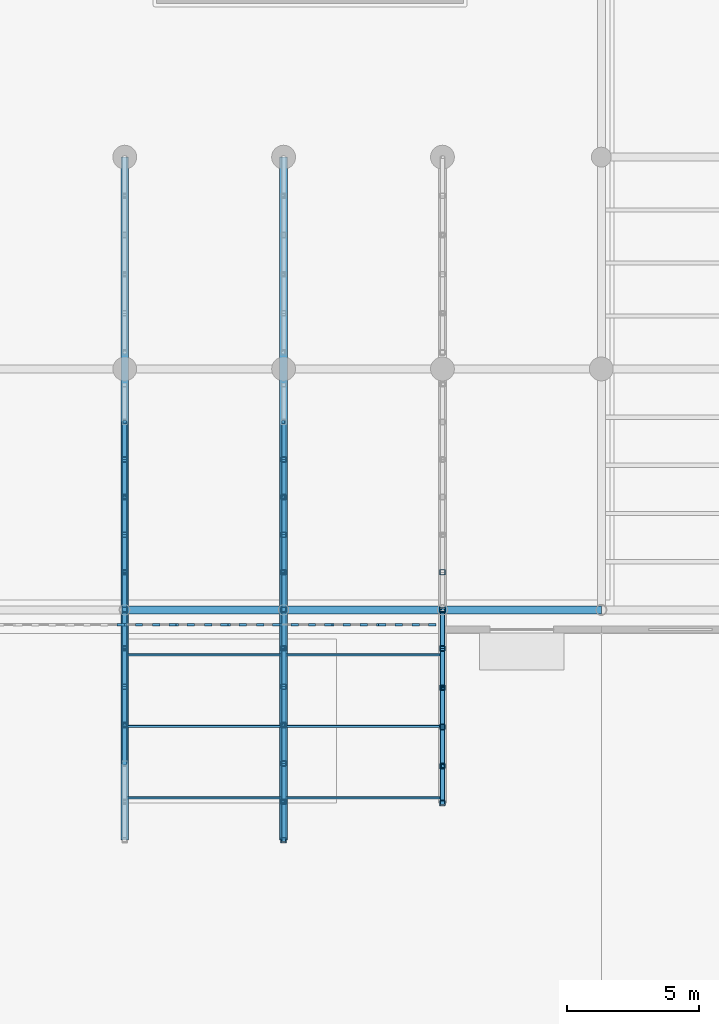
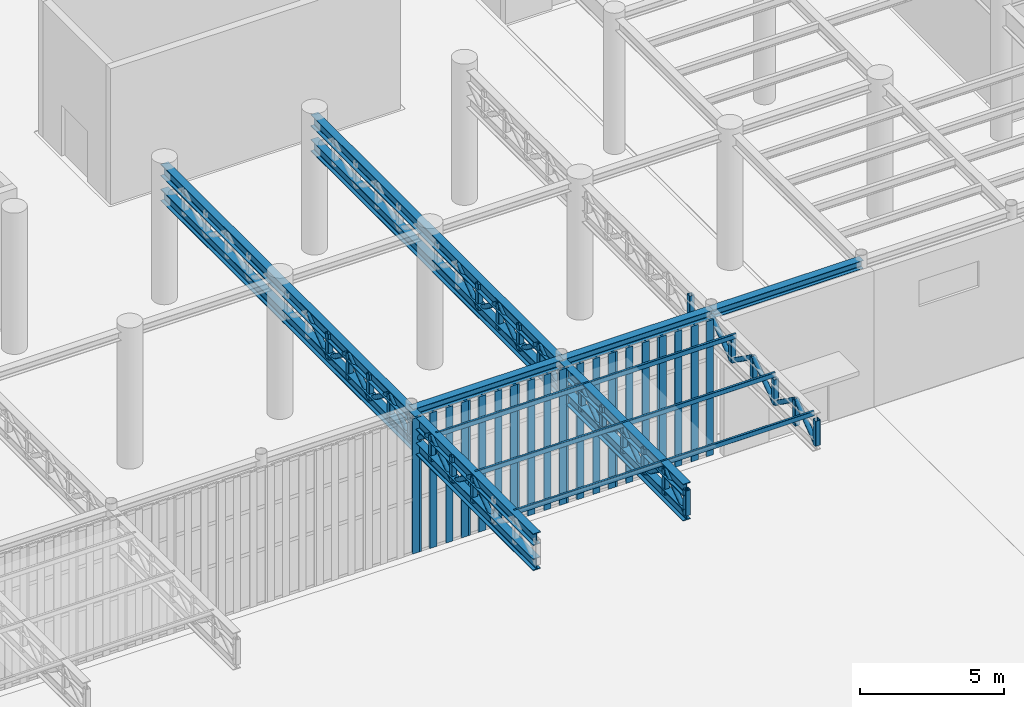
# One storey, part 24 of 118: 86 members, 3 beams, 7 elements without a shape of their own.
"""IFC4 building model written with IfcOpenShell, lengths in metres."""

from ifc_helpers import new_model, si_unit, direction, frame, origin, origin_2d, place, context, subcontext, project, spatial, rectangle, hollow_rectangle, hollow_circle, i_section, extrude, material, material_profile, profile_set, type_object, element, aggregate, save


model = new_model("IFC4")

# Units and contexts
model_context = context("Model", 3, precision=1e-05, world=origin(), true_north=direction((0.0, 1.0)))
body_context = subcontext(model_context, "Body", "Model", "MODEL_VIEW")
ifc_project = project(units=[si_unit("LENGTHUNIT", "METRE"), si_unit("AREAUNIT", "SQUARE_METRE"), si_unit("VOLUMEUNIT", "CUBIC_METRE"), si_unit("PLANEANGLEUNIT", "RADIAN"), si_unit("MASSUNIT", "GRAM", prefix="KILO")], contexts=[model_context])

# Site, building, storey
site_placement = place(None, origin())
site = spatial("IfcSite", under=ifc_project, at=site_placement, CompositionType="ELEMENT")
building_placement = place(site_placement, origin())
building = spatial("IfcBuilding", under=site, at=building_placement, Name="Kolvaren Corner Interchange", CompositionType="ELEMENT")
storey_placement = place(building_placement, origin())
storey = spatial("IfcBuildingStorey", under=building, at=storey_placement, Name="L01", CompositionType="ELEMENT", Elevation=0.0)

# Beams
ifc_material_1 = material(Name="Steel S355", Category="steel")
ifc_material_profile_1 = material_profile(ifc_material_1, i_section(OverallWidth=0.300048828125, OverallDepth=0.35009765625, WebThickness=0.010009765625, FlangeThickness=0.017578125, FilletRadius=0.027099609375, at=origin_2d()), Name="HEA 360")
ifc_profile_set_1 = profile_set([ifc_material_profile_1], Name="Steel S355")
beam_type = type_object("IfcBeamType", Name="BM-HEA360", PredefinedType="BEAM", material=ifc_profile_set_1)
for number, where, z_axis, x_axis, name in (
    (1, (96.0, 24.89990234375, 5.574951171875), (1.0, 0.0, 0.0), (0.0, 1.0, 0.0), "Storey L01 Grid X Primary Girder 0219"),
    (2, (102.0, 24.89990234375, 5.574951171875), (1.0, 0.0, 0.0), (0.0, 1.0, 0.0), "Storey L01 Grid X Primary Girder 0220"),
    (3, (108.0, 24.89990234375, 5.574951171875), (1.0, 0.0, 0.0), (0.0, 1.0, 0.0), "Storey L01 Grid X Primary Girder 0221"),
):
    element("IfcBeam", number, at=place(storey_placement, frame(where, z_axis=z_axis, x_axis=x_axis)), inside=storey, type_object=beam_type, Name=name, PredefinedType="BEAM", context=body_context, shape_type="SweptSolid", body=[
        extrude(i_section(OverallWidth=0.300048828125, OverallDepth=0.35009765625, WebThickness=0.010009765625, FlangeThickness=0.017578125, FilletRadius=0.027099609375, at=origin_2d()), origin(), (0.0, 0.0, 1.0), 6.0),
    ])

# Members
ifc_material_2 = material(Name="Steel S355", Category="steel")
ifc_material_profile_2 = material_profile(ifc_material_2, hollow_circle(Radius=0.096923828125, WallThickness=0.010009765625, at=origin_2d()), Name="CHS 193.7x10.0")
ifc_profile_set_2 = profile_set([ifc_material_profile_2], Name="Steel S355")
member_type_1 = type_object("IfcMemberType", Name="MEM-BR-CHS194", PredefinedType="BRACE", material=ifc_profile_set_2)
for number, where, z_axis, x_axis, name in (
    (4, (96.0, 19.10009765625, 4.409912109375), (0.0, 0.807264090797, 0.590190382597), (-1.0, 0.0, 0.0), "South Portal Cantilever Roof Truss L02 Line 5 Diagonal 03"),
    (5, (96.0, 20.550048828125, 5.469970703125), (0.0, 0.807264090797, -0.590190382597), (-1.0, 0.0, 0.0), "South Portal Cantilever Roof Truss L02 Line 5 Diagonal 04"),
    (6, (96.0, 22.0, 4.409912109375), (0.0, 0.807264090797, 0.590190382597), (-1.0, 0.0, 0.0), "South Portal Cantilever Roof Truss L02 Line 5 Diagonal 05"),
    (7, (96.0, 23.449951171875, 5.469970703125), (0.0, 0.807264090797, -0.590190382597), (-1.0, 0.0, 0.0), "South Portal Cantilever Roof Truss L02 Line 5 Diagonal 06"),
):
    element("IfcMember", number, at=place(storey_placement, frame(where, z_axis=z_axis, x_axis=x_axis)), inside=storey, type_object=member_type_1, Name=name, PredefinedType="BRACE", context=body_context, shape_type="SweptSolid", body=[
        extrude(hollow_circle(Radius=0.096923828125, WallThickness=0.010009765625, at=origin_2d()), origin(), (0.0, 0.0, 1.0), 1.796142578125),
    ])
member_1_placement = place(storey_placement, frame((96.0, 24.89990234375, 4.409912109375), z_axis=(0.0, 0.801370032118, 0.598168932346), x_axis=(-1.0, 0.0, 0.0)))
element("IfcMember", 8, at=member_1_placement, inside=storey, type_object=member_type_1, Name="South Portal Cantilever Roof Truss L02 Line 5 Diagonal 07", PredefinedType="BRACE", context=body_context, shape_type="SweptSolid", body=[
    extrude(hollow_circle(Radius=0.096923828125, WallThickness=0.010009765625, at=origin_2d()), origin(), (0.0, 0.0, 1.0), 1.772216796875),
])
for number, where, z_axis, x_axis, name in (
    (9, (96.0, 26.320068359375, 5.469970703125), (0.0, 0.801320731352, -0.59823497516), (-1.0, 0.0, 0.0), "South Portal Cantilever Roof Truss L02 Line 5 Diagonal 08"),
    (10, (96.0, 27.739990234375, 4.409912109375), (0.0, 0.801320731352, 0.59823497516), (-1.0, 0.0, 0.0), "South Portal Cantilever Roof Truss L02 Line 5 Diagonal 09"),
):
    element("IfcMember", number, at=place(storey_placement, frame(where, z_axis=z_axis, x_axis=x_axis)), inside=storey, type_object=member_type_1, Name=name, PredefinedType="BRACE", context=body_context, shape_type="SweptSolid", body=[
        extrude(hollow_circle(Radius=0.096923828125, WallThickness=0.010009765625, at=origin_2d()), origin(), (0.0, 0.0, 1.0), 1.77197265625),
    ])
member_2_placement = place(storey_placement, frame((96.0, 29.159912109375, 5.469970703125), z_axis=(0.0, 0.801370032118, -0.598168932346), x_axis=(-1.0, 0.0, 0.0)))
element("IfcMember", 11, at=member_2_placement, inside=storey, type_object=member_type_1, Name="South Portal Cantilever Roof Truss L02 Line 5 Diagonal 10", PredefinedType="BRACE", context=body_context, shape_type="SweptSolid", body=[
    extrude(hollow_circle(Radius=0.096923828125, WallThickness=0.010009765625, at=origin_2d()), origin(), (0.0, 0.0, 1.0), 1.772216796875),
])
member_3_placement = place(storey_placement, frame((96.0, 30.580078125, 4.409912109375), z_axis=(0.0, 0.801320731352, 0.59823497516), x_axis=(-1.0, 0.0, 0.0)))
element("IfcMember", 12, at=member_3_placement, inside=storey, type_object=member_type_1, Name="South Portal Cantilever Roof Truss L02 Line 5 Diagonal 11", PredefinedType="BRACE", context=body_context, shape_type="SweptSolid", body=[
    extrude(hollow_circle(Radius=0.096923828125, WallThickness=0.010009765625, at=origin_2d()), origin(), (0.0, 0.0, 1.0), 1.77197265625),
])
member_4_placement = place(storey_placement, frame((102.0, 16.199951171875, 4.409912109375), z_axis=(0.0, 0.807264090797, 0.590190382597), x_axis=(-1.0, 0.0, 0.0)))
element("IfcMember", 13, at=member_4_placement, inside=storey, type_object=member_type_1, Name="South Portal Cantilever Roof Truss L02 Line 6 Diagonal 01", PredefinedType="BRACE", context=body_context, shape_type="SweptSolid", body=[
    extrude(hollow_circle(Radius=0.096923828125, WallThickness=0.010009765625, at=origin_2d()), origin(), (0.0, 0.0, 1.0), 1.796142578125),
])
member_5_placement = place(storey_placement, frame((102.0, 17.64990234375, 5.469970703125), z_axis=(0.0, 0.807311429362, -0.590125627321), x_axis=(-1.0, 0.0, 0.0)))
element("IfcMember", 14, at=member_5_placement, inside=storey, type_object=member_type_1, Name="South Portal Cantilever Roof Truss L02 Line 6 Diagonal 02", PredefinedType="BRACE", context=body_context, shape_type="SweptSolid", body=[
    extrude(hollow_circle(Radius=0.096923828125, WallThickness=0.010009765625, at=origin_2d()), origin(), (0.0, 0.0, 1.0), 1.79638671875),
])
for number, where, z_axis, x_axis, name in (
    (15, (102.0, 19.10009765625, 4.409912109375), (0.0, 0.807264090797, 0.590190382597), (-1.0, 0.0, 0.0), "South Portal Cantilever Roof Truss L02 Line 6 Diagonal 03"),
    (16, (102.0, 20.550048828125, 5.469970703125), (0.0, 0.807264090797, -0.590190382597), (-1.0, 0.0, 0.0), "South Portal Cantilever Roof Truss L02 Line 6 Diagonal 04"),
    (17, (102.0, 22.0, 4.409912109375), (0.0, 0.807264090797, 0.590190382597), (-1.0, 0.0, 0.0), "South Portal Cantilever Roof Truss L02 Line 6 Diagonal 05"),
    (18, (102.0, 23.449951171875, 5.469970703125), (0.0, 0.807264090797, -0.590190382597), (-1.0, 0.0, 0.0), "South Portal Cantilever Roof Truss L02 Line 6 Diagonal 06"),
):
    element("IfcMember", number, at=place(storey_placement, frame(where, z_axis=z_axis, x_axis=x_axis)), inside=storey, type_object=member_type_1, Name=name, PredefinedType="BRACE", context=body_context, shape_type="SweptSolid", body=[
        extrude(hollow_circle(Radius=0.096923828125, WallThickness=0.010009765625, at=origin_2d()), origin(), (0.0, 0.0, 1.0), 1.796142578125),
    ])
member_6_placement = place(storey_placement, frame((102.0, 24.89990234375, 4.409912109375), z_axis=(0.0, 0.801370032118, 0.598168932346), x_axis=(-1.0, 0.0, 0.0)))
element("IfcMember", 19, at=member_6_placement, inside=storey, type_object=member_type_1, Name="South Portal Cantilever Roof Truss L02 Line 6 Diagonal 07", PredefinedType="BRACE", context=body_context, shape_type="SweptSolid", body=[
    extrude(hollow_circle(Radius=0.096923828125, WallThickness=0.010009765625, at=origin_2d()), origin(), (0.0, 0.0, 1.0), 1.772216796875),
])
for number, where, z_axis, x_axis, name in (
    (20, (102.0, 26.320068359375, 5.469970703125), (0.0, 0.801320731352, -0.59823497516), (-1.0, 0.0, 0.0), "South Portal Cantilever Roof Truss L02 Line 6 Diagonal 08"),
    (21, (102.0, 27.739990234375, 4.409912109375), (0.0, 0.801320731352, 0.59823497516), (-1.0, 0.0, 0.0), "South Portal Cantilever Roof Truss L02 Line 6 Diagonal 09"),
):
    element("IfcMember", number, at=place(storey_placement, frame(where, z_axis=z_axis, x_axis=x_axis)), inside=storey, type_object=member_type_1, Name=name, PredefinedType="BRACE", context=body_context, shape_type="SweptSolid", body=[
        extrude(hollow_circle(Radius=0.096923828125, WallThickness=0.010009765625, at=origin_2d()), origin(), (0.0, 0.0, 1.0), 1.77197265625),
    ])
member_7_placement = place(storey_placement, frame((102.0, 29.159912109375, 5.469970703125), z_axis=(0.0, 0.801370032118, -0.598168932346), x_axis=(-1.0, 0.0, 0.0)))
element("IfcMember", 22, at=member_7_placement, inside=storey, type_object=member_type_1, Name="South Portal Cantilever Roof Truss L02 Line 6 Diagonal 10", PredefinedType="BRACE", context=body_context, shape_type="SweptSolid", body=[
    extrude(hollow_circle(Radius=0.096923828125, WallThickness=0.010009765625, at=origin_2d()), origin(), (0.0, 0.0, 1.0), 1.772216796875),
])
member_8_placement = place(storey_placement, frame((102.0, 30.580078125, 4.409912109375), z_axis=(0.0, 0.801320731352, 0.59823497516), x_axis=(-1.0, 0.0, 0.0)))
element("IfcMember", 23, at=member_8_placement, inside=storey, type_object=member_type_1, Name="South Portal Cantilever Roof Truss L02 Line 6 Diagonal 11", PredefinedType="BRACE", context=body_context, shape_type="SweptSolid", body=[
    extrude(hollow_circle(Radius=0.096923828125, WallThickness=0.010009765625, at=origin_2d()), origin(), (0.0, 0.0, 1.0), 1.77197265625),
])
member_9_placement = place(storey_placement, frame((108.0, 17.60009765625, 4.409912109375), z_axis=(0.0, 0.797221916597, 0.6036863554), x_axis=(-1.0, 0.0, 0.0)))
element("IfcMember", 24, at=member_9_placement, inside=storey, type_object=member_type_1, Name="South Portal Cantilever Roof Truss L02 Line 7 Diagonal 01", PredefinedType="BRACE", context=body_context, shape_type="SweptSolid", body=[
    extrude(hollow_circle(Radius=0.096923828125, WallThickness=0.010009765625, at=origin_2d()), origin(), (0.0, 0.0, 1.0), 1.755859375),
])
for number, where, z_axis, x_axis, name in (
    (25, (108.0, 19.0, 5.469970703125), (0.0, 0.812971611599, -0.582303321934), (-1.0, 0.0, 0.0), "South Portal Cantilever Roof Truss L02 Line 7 Diagonal 02"),
    (26, (108.0, 20.47998046875, 4.409912109375), (0.0, 0.812971611599, 0.582303321934), (-1.0, 0.0, 0.0), "South Portal Cantilever Roof Truss L02 Line 7 Diagonal 03"),
    (27, (108.0, 21.9599609375, 5.469970703125), (0.0, 0.812971611599, -0.582303321934), (-1.0, 0.0, 0.0), "South Portal Cantilever Roof Truss L02 Line 7 Diagonal 04"),
):
    element("IfcMember", number, at=place(storey_placement, frame(where, z_axis=z_axis, x_axis=x_axis)), inside=storey, type_object=member_type_1, Name=name, PredefinedType="BRACE", context=body_context, shape_type="SweptSolid", body=[
        extrude(hollow_circle(Radius=0.096923828125, WallThickness=0.010009765625, at=origin_2d()), origin(), (0.0, 0.0, 1.0), 1.820556640625),
    ])
member_10_placement = place(storey_placement, frame((108.0, 23.43994140625, 4.409912109375), z_axis=(0.0, 0.809192259471, 0.58754394492), x_axis=(-1.0, 0.0, 0.0)))
element("IfcMember", 28, at=member_10_placement, inside=storey, type_object=member_type_1, Name="South Portal Cantilever Roof Truss L02 Line 7 Diagonal 05", PredefinedType="BRACE", context=body_context, shape_type="SweptSolid", body=[
    extrude(hollow_circle(Radius=0.096923828125, WallThickness=0.010009765625, at=origin_2d()), origin(), (0.0, 0.0, 1.0), 1.80419921875),
])
ifc_material_3 = material(Name="Steel S355", Category="steel")
ifc_material_profile_3 = material_profile(ifc_material_3, i_section(OverallWidth=0.300048828125, OverallDepth=0.5, WebThickness=0.014404296875, FlangeThickness=0.028076171875, FilletRadius=0.027099609375, at=origin_2d()), Name="HEB 500")
ifc_profile_set_3 = profile_set([ifc_material_profile_3], Name="Steel S355")
member_type_2 = type_object("IfcMemberType", Name="MEM-CH-HEB500", PredefinedType="CHORD", material=ifc_profile_set_3)
for number, where, z_axis, x_axis, name in (
    (29, (96.0, 16.199951171875, 5.469970703125), (0.0, 1.0, 0.0), (-1.0, 0.0, 0.0), "South Portal Cantilever Roof Truss L02 Line 5 Top Chord"),
    (30, (96.0, 16.199951171875, 4.409912109375), (0.0, 1.0, 0.0), (-1.0, 0.0, 0.0), "South Portal Cantilever Roof Truss L02 Line 5 Bottom Chord"),
    (31, (102.0, 16.199951171875, 5.469970703125), (0.0, 1.0, 0.0), (-1.0, 0.0, 0.0), "South Portal Cantilever Roof Truss L02 Line 6 Top Chord"),
    (32, (102.0, 16.199951171875, 4.409912109375), (0.0, 1.0, 0.0), (-1.0, 0.0, 0.0), "South Portal Cantilever Roof Truss L02 Line 6 Bottom Chord"),
):
    element("IfcMember", number, at=place(storey_placement, frame(where, z_axis=z_axis, x_axis=x_axis)), inside=storey, type_object=member_type_2, Name=name, PredefinedType="CHORD", context=body_context, shape_type="SweptSolid", body=[
        extrude(i_section(OverallWidth=0.300048828125, OverallDepth=0.5, WebThickness=0.014404296875, FlangeThickness=0.028076171875, FilletRadius=0.027099609375, at=origin_2d()), origin(), (0.0, 0.0, 1.0), 25.800048828125),
    ])
ifc_material_4 = material(Name="Steel S355", Category="steel")
ifc_material_profile_4 = material_profile(ifc_material_4, hollow_rectangle(XDim=0.10009765625, YDim=0.199951171875, WallThickness=0.008056640625, InnerFilletRadius=0.008056640625, OuterFilletRadius=0.01611328125, at=origin_2d()), Name="RHS 200x100x8.0")
ifc_profile_set_4 = profile_set([ifc_material_profile_4], Name="Steel S355")
member_type_3 = type_object("IfcMemberType", Name="MEM-PR-RHS200", PredefinedType="PURLIN", material=ifc_profile_set_4)
for number, where, z_axis, x_axis, name in (
    (33, (96.0, 17.800048828125, 5.6201171875), (1.0, 0.0, 0.0), (0.0, 1.0, 0.0), "South Portal Cantilever Roof Truss L02 Purlin 1 Bay 96"),
    (34, (102.0, 17.800048828125, 5.6201171875), (1.0, 0.0, 0.0), (0.0, 1.0, 0.0), "South Portal Cantilever Roof Truss L02 Purlin 1 Bay 102"),
    (35, (96.0, 20.5, 5.6201171875), (1.0, 0.0, 0.0), (0.0, 1.0, 0.0), "South Portal Cantilever Roof Truss L02 Purlin 2 Bay 96"),
    (36, (102.0, 20.5, 5.6201171875), (1.0, 0.0, 0.0), (0.0, 1.0, 0.0), "South Portal Cantilever Roof Truss L02 Purlin 2 Bay 102"),
    (37, (96.0, 23.199951171875, 5.6201171875), (1.0, 0.0, 0.0), (0.0, 1.0, 0.0), "South Portal Cantilever Roof Truss L02 Purlin 3 Bay 96"),
    (38, (102.0, 23.199951171875, 5.6201171875), (1.0, 0.0, 0.0), (0.0, 1.0, 0.0), "South Portal Cantilever Roof Truss L02 Purlin 3 Bay 102"),
):
    element("IfcMember", number, at=place(storey_placement, frame(where, z_axis=z_axis, x_axis=x_axis)), inside=storey, type_object=member_type_3, Name=name, PredefinedType="PURLIN", context=body_context, shape_type="SweptSolid", body=[
        extrude(hollow_rectangle(XDim=0.10009765625, YDim=0.199951171875, WallThickness=0.008056640625, InnerFilletRadius=0.008056640625, OuterFilletRadius=0.01611328125, at=origin_2d()), origin(), (0.0, 0.0, 1.0), 6.0),
    ])
ifc_material_5 = material(Name="Steel S355", Category="steel")
ifc_material_profile_5 = material_profile(ifc_material_5, hollow_rectangle(XDim=0.199951171875, YDim=0.199951171875, WallThickness=0.010009765625, InnerFilletRadius=0.010009765625, OuterFilletRadius=0.02001953125, at=origin_2d()), Name="SHS 200x200x10.0")
ifc_profile_set_5 = profile_set([ifc_material_profile_5], Name="Steel S355")
member_type_4 = type_object("IfcMemberType", Name="MEM-PT-SHS200", PredefinedType="POST", material=ifc_profile_set_5)
for number, where, z_axis, x_axis, name in (
    (39, (96.0, 20.550048828125, 4.409912109375), (0.0, 0.0, 1.0), (1.0, 0.0, 0.0), "South Portal Cantilever Roof Truss L02 Line 5 Web Post 04"),
    (40, (96.0, 22.0, 4.409912109375), (0.0, 0.0, 1.0), (1.0, 0.0, 0.0), "South Portal Cantilever Roof Truss L02 Line 5 Web Post 05"),
    (41, (96.0, 23.449951171875, 4.409912109375), (0.0, 0.0, 1.0), (1.0, 0.0, 0.0), "South Portal Cantilever Roof Truss L02 Line 5 Web Post 06"),
    (42, (96.0, 24.89990234375, 4.409912109375), (0.0, 0.0, 1.0), (1.0, 0.0, 0.0), "South Portal Cantilever Roof Truss L02 Line 5 Web Post 07"),
    (43, (96.0, 26.320068359375, 4.409912109375), (0.0, 0.0, 1.0), (1.0, 0.0, 0.0), "South Portal Cantilever Roof Truss L02 Line 5 Web Post 08"),
    (44, (96.0, 27.739990234375, 4.409912109375), (0.0, 0.0, 1.0), (1.0, 0.0, 0.0), "South Portal Cantilever Roof Truss L02 Line 5 Web Post 09"),
    (45, (96.0, 29.159912109375, 4.409912109375), (0.0, 0.0, 1.0), (1.0, 0.0, 0.0), "South Portal Cantilever Roof Truss L02 Line 5 Web Post 10"),
    (46, (96.0, 30.580078125, 4.409912109375), (0.0, 0.0, 1.0), (1.0, 0.0, 0.0), "South Portal Cantilever Roof Truss L02 Line 5 Web Post 11"),
    (47, (102.0, 16.199951171875, 4.409912109375), (0.0, 0.0, 1.0), (1.0, 0.0, 0.0), "South Portal Cantilever Roof Truss L02 Line 6 Web Post 01"),
    (48, (102.0, 17.64990234375, 4.409912109375), (0.0, 0.0, 1.0), (1.0, 0.0, 0.0), "South Portal Cantilever Roof Truss L02 Line 6 Web Post 02"),
    (49, (102.0, 19.10009765625, 4.409912109375), (0.0, 0.0, 1.0), (1.0, 0.0, 0.0), "South Portal Cantilever Roof Truss L02 Line 6 Web Post 03"),
    (50, (102.0, 20.550048828125, 4.409912109375), (0.0, 0.0, 1.0), (1.0, 0.0, 0.0), "South Portal Cantilever Roof Truss L02 Line 6 Web Post 04"),
    (51, (102.0, 22.0, 4.409912109375), (0.0, 0.0, 1.0), (1.0, 0.0, 0.0), "South Portal Cantilever Roof Truss L02 Line 6 Web Post 05"),
    (52, (102.0, 23.449951171875, 4.409912109375), (0.0, 0.0, 1.0), (1.0, 0.0, 0.0), "South Portal Cantilever Roof Truss L02 Line 6 Web Post 06"),
    (53, (102.0, 24.89990234375, 4.409912109375), (0.0, 0.0, 1.0), (1.0, 0.0, 0.0), "South Portal Cantilever Roof Truss L02 Line 6 Web Post 07"),
    (54, (102.0, 26.320068359375, 4.409912109375), (0.0, 0.0, 1.0), (1.0, 0.0, 0.0), "South Portal Cantilever Roof Truss L02 Line 6 Web Post 08"),
    (55, (102.0, 27.739990234375, 4.409912109375), (0.0, 0.0, 1.0), (1.0, 0.0, 0.0), "South Portal Cantilever Roof Truss L02 Line 6 Web Post 09"),
    (56, (102.0, 29.159912109375, 4.409912109375), (0.0, 0.0, 1.0), (1.0, 0.0, 0.0), "South Portal Cantilever Roof Truss L02 Line 6 Web Post 10"),
    (57, (102.0, 30.580078125, 4.409912109375), (0.0, 0.0, 1.0), (1.0, 0.0, 0.0), "South Portal Cantilever Roof Truss L02 Line 6 Web Post 11"),
    (58, (108.0, 17.60009765625, 4.409912109375), (0.0, 0.0, 1.0), (1.0, 0.0, 0.0), "South Portal Cantilever Roof Truss L02 Line 7 Web Post 01"),
    (59, (108.0, 19.0, 4.409912109375), (0.0, 0.0, 1.0), (1.0, 0.0, 0.0), "South Portal Cantilever Roof Truss L02 Line 7 Web Post 02"),
    (60, (108.0, 20.47998046875, 4.409912109375), (0.0, 0.0, 1.0), (1.0, 0.0, 0.0), "South Portal Cantilever Roof Truss L02 Line 7 Web Post 03"),
    (61, (108.0, 21.9599609375, 4.409912109375), (0.0, 0.0, 1.0), (1.0, 0.0, 0.0), "South Portal Cantilever Roof Truss L02 Line 7 Web Post 04"),
    (62, (108.0, 23.43994140625, 4.409912109375), (0.0, 0.0, 1.0), (1.0, 0.0, 0.0), "South Portal Cantilever Roof Truss L02 Line 7 Web Post 05"),
    (63, (108.0, 24.89990234375, 4.409912109375), (0.0, 0.0, 1.0), (1.0, 0.0, 0.0), "South Portal Cantilever Roof Truss L02 Line 7 Web Post 06"),
    (64, (108.0, 26.320068359375, 4.409912109375), (0.0, 0.0, 1.0), (1.0, 0.0, 0.0), "South Portal Cantilever Roof Truss L02 Line 7 Web Post 07"),
):
    element("IfcMember", number, at=place(storey_placement, frame(where, z_axis=z_axis, x_axis=x_axis)), inside=storey, type_object=member_type_4, Name=name, PredefinedType="POST", context=body_context, shape_type="SweptSolid", body=[
        extrude(hollow_rectangle(XDim=0.199951171875, YDim=0.199951171875, WallThickness=0.010009765625, InnerFilletRadius=0.010009765625, OuterFilletRadius=0.02001953125, at=origin_2d()), origin(), (0.0, 0.0, 1.0), 1.06005859375),
    ])

# Curtain wall, member
ifc_material_6 = material(Name="Unitised Aluminium and Solar-Control Glass Curtain Wall", Category="aluminium")
curtain_wall_type = type_object("IfcCurtainWallType", Name="CW-V1-PORTAL", PredefinedType="NOTDEFINED", material=ifc_material_6)
curtain_wall_1_placement = place(storey_placement, origin())
curtain_wall_1 = element("IfcCurtainWall", 65, at=curtain_wall_1_placement, inside=storey, type_object=curtain_wall_type, Name="South Portal Ground Curtain Wall Bay 12", PredefinedType="NOTDEFINED")
ifc_material_7 = material(Name="Anodised Aluminium Framing", Category="aluminium")
ifc_material_profile_6 = material_profile(ifc_material_7, rectangle(XDim=0.080078125, YDim=0.280029296875, at=origin_2d()), Name="ALU 80x280")
ifc_profile_set_6 = profile_set([ifc_material_profile_6], Name="Anodised Aluminium Framing")
member_type_5 = type_object("IfcMemberType", Name="MUL-ALU80x280", PredefinedType="MULLION", material=ifc_profile_set_6)
member_11_placement = place(storey_placement, frame((95.84326171875, 24.340087890625, 0.0), z_axis=(0.0, 0.0, 1.0), x_axis=(0.0, 1.0, 0.0)))
member_11 = element("IfcMember", 66, at=member_11_placement, type_object=member_type_5, Name="CW-012 mullion 4", PredefinedType="MULLION", context=body_context, shape_type="SweptSolid", body=[
    extrude(rectangle(XDim=0.080078125, YDim=0.280029296875, at=origin_2d()), origin(), (0.0, 0.0, 1.0), 5.719970703125),
])
aggregate(curtain_wall_1, [member_11])

# Curtain wall, members
curtain_wall_2_placement = place(storey_placement, origin())
curtain_wall_2 = element("IfcCurtainWall", 67, at=curtain_wall_2_placement, inside=storey, type_object=curtain_wall_type, Name="South Portal Ground Curtain Wall Bay 13", PredefinedType="NOTDEFINED")
member_12_placement = place(storey_placement, frame((95.92333984375, 24.340087890625, 0.0), z_axis=(0.0, 0.0, 1.0), x_axis=(0.0, 1.0, 0.0)))
member_12 = element("IfcMember", 68, at=member_12_placement, type_object=member_type_5, Name="CW-013 mullion 1", PredefinedType="MULLION", context=body_context, shape_type="SweptSolid", body=[
    extrude(rectangle(XDim=0.080078125, YDim=0.280029296875, at=origin_2d()), origin(), (0.0, 0.0, 1.0), 5.719970703125),
])
member_13_placement = place(storey_placement, frame((96.537109375, 24.340087890625, 0.0), z_axis=(0.0, 0.0, 1.0), x_axis=(0.0, 1.0, 0.0)))
member_13 = element("IfcMember", 69, at=member_13_placement, type_object=member_type_5, Name="CW-013 mullion 2", PredefinedType="MULLION", context=body_context, shape_type="SweptSolid", body=[
    extrude(rectangle(XDim=0.080078125, YDim=0.280029296875, at=origin_2d()), origin(), (0.0, 0.0, 1.0), 5.719970703125),
])
member_14_placement = place(storey_placement, frame((97.190673828125, 24.340087890625, 0.0), z_axis=(0.0, 0.0, 1.0), x_axis=(0.0, 1.0, 0.0)))
member_14 = element("IfcMember", 70, at=member_14_placement, type_object=member_type_5, Name="CW-013 mullion 3", PredefinedType="MULLION", context=body_context, shape_type="SweptSolid", body=[
    extrude(rectangle(XDim=0.080078125, YDim=0.280029296875, at=origin_2d()), origin(), (0.0, 0.0, 1.0), 5.719970703125),
])
member_15_placement = place(storey_placement, frame((97.804443359375, 24.340087890625, 0.0), z_axis=(0.0, 0.0, 1.0), x_axis=(0.0, 1.0, 0.0)))
member_15 = element("IfcMember", 71, at=member_15_placement, type_object=member_type_5, Name="CW-013 mullion 4", PredefinedType="MULLION", context=body_context, shape_type="SweptSolid", body=[
    extrude(rectangle(XDim=0.080078125, YDim=0.280029296875, at=origin_2d()), origin(), (0.0, 0.0, 1.0), 5.719970703125),
])
aggregate(curtain_wall_2, [member_12, member_13, member_14, member_15])

curtain_wall_3_placement = place(storey_placement, origin())
curtain_wall_3 = element("IfcCurtainWall", 72, at=curtain_wall_3_placement, inside=storey, type_object=curtain_wall_type, Name="South Portal Ground Curtain Wall Bay 14", PredefinedType="NOTDEFINED")
member_16_placement = place(storey_placement, frame((97.884521484375, 24.340087890625, 0.0), z_axis=(0.0, 0.0, 1.0), x_axis=(0.0, 1.0, 0.0)))
member_16 = element("IfcMember", 73, at=member_16_placement, type_object=member_type_5, Name="CW-014 mullion 1", PredefinedType="MULLION", context=body_context, shape_type="SweptSolid", body=[
    extrude(rectangle(XDim=0.080078125, YDim=0.280029296875, at=origin_2d()), origin(), (0.0, 0.0, 1.0), 5.719970703125),
])
member_17_placement = place(storey_placement, frame((98.498046875, 24.340087890625, 0.0), z_axis=(0.0, 0.0, 1.0), x_axis=(0.0, 1.0, 0.0)))
member_17 = element("IfcMember", 74, at=member_17_placement, type_object=member_type_5, Name="CW-014 mullion 2", PredefinedType="MULLION", context=body_context, shape_type="SweptSolid", body=[
    extrude(rectangle(XDim=0.080078125, YDim=0.280029296875, at=origin_2d()), origin(), (0.0, 0.0, 1.0), 5.719970703125),
])
member_18_placement = place(storey_placement, frame((99.15185546875, 24.340087890625, 0.0), z_axis=(0.0, 0.0, 1.0), x_axis=(0.0, 1.0, 0.0)))
member_18 = element("IfcMember", 75, at=member_18_placement, type_object=member_type_5, Name="CW-014 mullion 3", PredefinedType="MULLION", context=body_context, shape_type="SweptSolid", body=[
    extrude(rectangle(XDim=0.080078125, YDim=0.280029296875, at=origin_2d()), origin(), (0.0, 0.0, 1.0), 5.719970703125),
])
member_19_placement = place(storey_placement, frame((99.765625, 24.340087890625, 0.0), z_axis=(0.0, 0.0, 1.0), x_axis=(0.0, 1.0, 0.0)))
member_19 = element("IfcMember", 76, at=member_19_placement, type_object=member_type_5, Name="CW-014 mullion 4", PredefinedType="MULLION", context=body_context, shape_type="SweptSolid", body=[
    extrude(rectangle(XDim=0.080078125, YDim=0.280029296875, at=origin_2d()), origin(), (0.0, 0.0, 1.0), 5.719970703125),
])
aggregate(curtain_wall_3, [member_16, member_17, member_18, member_19])

curtain_wall_4_placement = place(storey_placement, origin())
curtain_wall_4 = element("IfcCurtainWall", 77, at=curtain_wall_4_placement, inside=storey, type_object=curtain_wall_type, Name="South Portal Ground Curtain Wall Bay 15", PredefinedType="NOTDEFINED")
member_20_placement = place(storey_placement, frame((99.845703125, 24.340087890625, 0.0), z_axis=(0.0, 0.0, 1.0), x_axis=(0.0, 1.0, 0.0)))
member_20 = element("IfcMember", 78, at=member_20_placement, type_object=member_type_5, Name="CW-015 mullion 1", PredefinedType="MULLION", context=body_context, shape_type="SweptSolid", body=[
    extrude(rectangle(XDim=0.080078125, YDim=0.280029296875, at=origin_2d()), origin(), (0.0, 0.0, 1.0), 5.719970703125),
])
member_21_placement = place(storey_placement, frame((100.459228515625, 24.340087890625, 0.0), z_axis=(0.0, 0.0, 1.0), x_axis=(0.0, 1.0, 0.0)))
member_21 = element("IfcMember", 79, at=member_21_placement, type_object=member_type_5, Name="CW-015 mullion 2", PredefinedType="MULLION", context=body_context, shape_type="SweptSolid", body=[
    extrude(rectangle(XDim=0.080078125, YDim=0.280029296875, at=origin_2d()), origin(), (0.0, 0.0, 1.0), 5.719970703125),
])
member_22_placement = place(storey_placement, frame((101.113037109375, 24.340087890625, 0.0), z_axis=(0.0, 0.0, 1.0), x_axis=(0.0, 1.0, 0.0)))
member_22 = element("IfcMember", 80, at=member_22_placement, type_object=member_type_5, Name="CW-015 mullion 3", PredefinedType="MULLION", context=body_context, shape_type="SweptSolid", body=[
    extrude(rectangle(XDim=0.080078125, YDim=0.280029296875, at=origin_2d()), origin(), (0.0, 0.0, 1.0), 5.719970703125),
])
member_23_placement = place(storey_placement, frame((101.726806640625, 24.340087890625, 0.0), z_axis=(0.0, 0.0, 1.0), x_axis=(0.0, 1.0, 0.0)))
member_23 = element("IfcMember", 81, at=member_23_placement, type_object=member_type_5, Name="CW-015 mullion 4", PredefinedType="MULLION", context=body_context, shape_type="SweptSolid", body=[
    extrude(rectangle(XDim=0.080078125, YDim=0.280029296875, at=origin_2d()), origin(), (0.0, 0.0, 1.0), 5.719970703125),
])
aggregate(curtain_wall_4, [member_20, member_21, member_22, member_23])

curtain_wall_5_placement = place(storey_placement, origin())
curtain_wall_5 = element("IfcCurtainWall", 82, at=curtain_wall_5_placement, inside=storey, type_object=curtain_wall_type, Name="South Portal Ground Curtain Wall Bay 16", PredefinedType="NOTDEFINED")
member_24_placement = place(storey_placement, frame((101.806640625, 24.340087890625, 0.0), z_axis=(0.0, 0.0, 1.0), x_axis=(0.0, 1.0, 0.0)))
member_24 = element("IfcMember", 83, at=member_24_placement, type_object=member_type_5, Name="CW-016 mullion 1", PredefinedType="MULLION", context=body_context, shape_type="SweptSolid", body=[
    extrude(rectangle(XDim=0.080078125, YDim=0.280029296875, at=origin_2d()), origin(), (0.0, 0.0, 1.0), 5.719970703125),
])
member_25_placement = place(storey_placement, frame((102.42041015625, 24.340087890625, 0.0), z_axis=(0.0, 0.0, 1.0), x_axis=(0.0, 1.0, 0.0)))
member_25 = element("IfcMember", 84, at=member_25_placement, type_object=member_type_5, Name="CW-016 mullion 2", PredefinedType="MULLION", context=body_context, shape_type="SweptSolid", body=[
    extrude(rectangle(XDim=0.080078125, YDim=0.280029296875, at=origin_2d()), origin(), (0.0, 0.0, 1.0), 5.719970703125),
])
member_26_placement = place(storey_placement, frame((103.07421875, 24.340087890625, 0.0), z_axis=(0.0, 0.0, 1.0), x_axis=(0.0, 1.0, 0.0)))
member_26 = element("IfcMember", 85, at=member_26_placement, type_object=member_type_5, Name="CW-016 mullion 3", PredefinedType="MULLION", context=body_context, shape_type="SweptSolid", body=[
    extrude(rectangle(XDim=0.080078125, YDim=0.280029296875, at=origin_2d()), origin(), (0.0, 0.0, 1.0), 5.719970703125),
])
member_27_placement = place(storey_placement, frame((103.687744140625, 24.340087890625, 0.0), z_axis=(0.0, 0.0, 1.0), x_axis=(0.0, 1.0, 0.0)))
member_27 = element("IfcMember", 86, at=member_27_placement, type_object=member_type_5, Name="CW-016 mullion 4", PredefinedType="MULLION", context=body_context, shape_type="SweptSolid", body=[
    extrude(rectangle(XDim=0.080078125, YDim=0.280029296875, at=origin_2d()), origin(), (0.0, 0.0, 1.0), 5.719970703125),
])
aggregate(curtain_wall_5, [member_24, member_25, member_26, member_27])

curtain_wall_6_placement = place(storey_placement, origin())
curtain_wall_6 = element("IfcCurtainWall", 87, at=curtain_wall_6_placement, inside=storey, type_object=curtain_wall_type, Name="South Portal Ground Curtain Wall Bay 17", PredefinedType="NOTDEFINED")
member_28_placement = place(storey_placement, frame((103.767822265625, 24.340087890625, 0.0), z_axis=(0.0, 0.0, 1.0), x_axis=(0.0, 1.0, 0.0)))
member_28 = element("IfcMember", 88, at=member_28_placement, type_object=member_type_5, Name="CW-017 mullion 1", PredefinedType="MULLION", context=body_context, shape_type="SweptSolid", body=[
    extrude(rectangle(XDim=0.080078125, YDim=0.280029296875, at=origin_2d()), origin(), (0.0, 0.0, 1.0), 5.719970703125),
])
member_29_placement = place(storey_placement, frame((104.381591796875, 24.340087890625, 0.0), z_axis=(0.0, 0.0, 1.0), x_axis=(0.0, 1.0, 0.0)))
member_29 = element("IfcMember", 89, at=member_29_placement, type_object=member_type_5, Name="CW-017 mullion 2", PredefinedType="MULLION", context=body_context, shape_type="SweptSolid", body=[
    extrude(rectangle(XDim=0.080078125, YDim=0.280029296875, at=origin_2d()), origin(), (0.0, 0.0, 1.0), 5.719970703125),
])
member_30_placement = place(storey_placement, frame((105.03515625, 24.340087890625, 0.0), z_axis=(0.0, 0.0, 1.0), x_axis=(0.0, 1.0, 0.0)))
member_30 = element("IfcMember", 90, at=member_30_placement, type_object=member_type_5, Name="CW-017 mullion 3", PredefinedType="MULLION", context=body_context, shape_type="SweptSolid", body=[
    extrude(rectangle(XDim=0.080078125, YDim=0.280029296875, at=origin_2d()), origin(), (0.0, 0.0, 1.0), 5.719970703125),
])
member_31_placement = place(storey_placement, frame((105.64892578125, 24.340087890625, 0.0), z_axis=(0.0, 0.0, 1.0), x_axis=(0.0, 1.0, 0.0)))
member_31 = element("IfcMember", 91, at=member_31_placement, type_object=member_type_5, Name="CW-017 mullion 4", PredefinedType="MULLION", context=body_context, shape_type="SweptSolid", body=[
    extrude(rectangle(XDim=0.080078125, YDim=0.280029296875, at=origin_2d()), origin(), (0.0, 0.0, 1.0), 5.719970703125),
])
aggregate(curtain_wall_6, [member_28, member_29, member_30, member_31])

curtain_wall_7_placement = place(storey_placement, origin())
curtain_wall_7 = element("IfcCurtainWall", 92, at=curtain_wall_7_placement, inside=storey, type_object=curtain_wall_type, Name="South Portal Ground Curtain Wall Bay 18", PredefinedType="NOTDEFINED")
member_32_placement = place(storey_placement, frame((105.72900390625, 24.340087890625, 0.0), z_axis=(0.0, 0.0, 1.0), x_axis=(0.0, 1.0, 0.0)))
member_32 = element("IfcMember", 93, at=member_32_placement, type_object=member_type_5, Name="CW-018 mullion 1", PredefinedType="MULLION", context=body_context, shape_type="SweptSolid", body=[
    extrude(rectangle(XDim=0.080078125, YDim=0.280029296875, at=origin_2d()), origin(), (0.0, 0.0, 1.0), 5.719970703125),
])
member_33_placement = place(storey_placement, frame((106.342529296875, 24.340087890625, 0.0), z_axis=(0.0, 0.0, 1.0), x_axis=(0.0, 1.0, 0.0)))
member_33 = element("IfcMember", 94, at=member_33_placement, type_object=member_type_5, Name="CW-018 mullion 2", PredefinedType="MULLION", context=body_context, shape_type="SweptSolid", body=[
    extrude(rectangle(XDim=0.080078125, YDim=0.280029296875, at=origin_2d()), origin(), (0.0, 0.0, 1.0), 5.719970703125),
])
member_34_placement = place(storey_placement, frame((106.996337890625, 24.340087890625, 0.0), z_axis=(0.0, 0.0, 1.0), x_axis=(0.0, 1.0, 0.0)))
member_34 = element("IfcMember", 95, at=member_34_placement, type_object=member_type_5, Name="CW-018 mullion 3", PredefinedType="MULLION", context=body_context, shape_type="SweptSolid", body=[
    extrude(rectangle(XDim=0.080078125, YDim=0.280029296875, at=origin_2d()), origin(), (0.0, 0.0, 1.0), 5.719970703125),
])
member_35_placement = place(storey_placement, frame((107.610107421875, 24.340087890625, 0.0), z_axis=(0.0, 0.0, 1.0), x_axis=(0.0, 1.0, 0.0)))
member_35 = element("IfcMember", 96, at=member_35_placement, type_object=member_type_5, Name="CW-018 mullion 4", PredefinedType="MULLION", context=body_context, shape_type="SweptSolid", body=[
    extrude(rectangle(XDim=0.080078125, YDim=0.280029296875, at=origin_2d()), origin(), (0.0, 0.0, 1.0), 5.719970703125),
])
aggregate(curtain_wall_7, [member_32, member_33, member_34, member_35])

save(model, "model.ifc")
